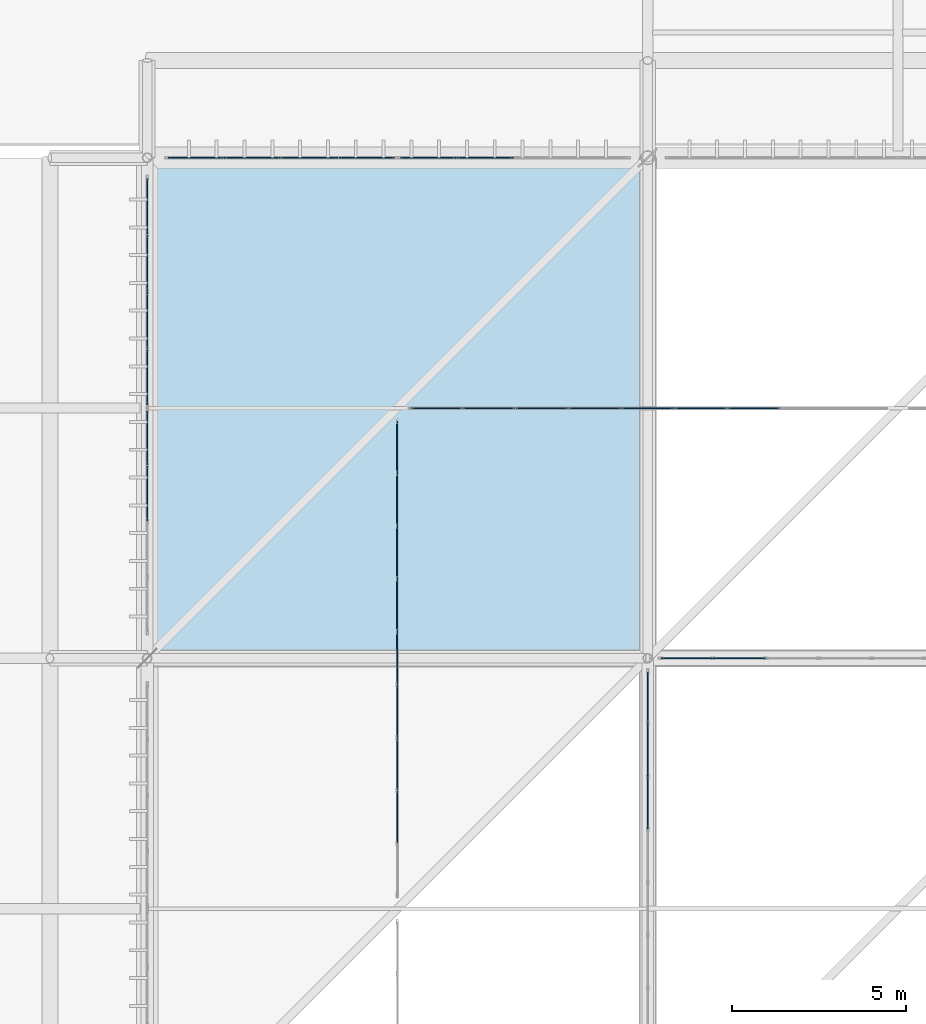
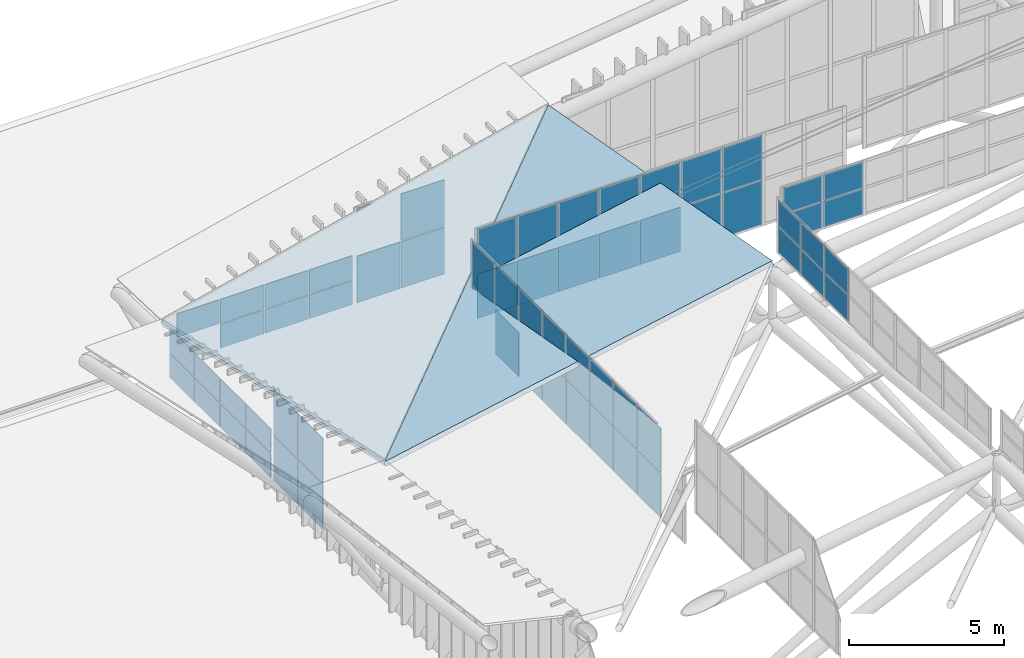
# One storey, part 375 of 397: 64 plates, 2 slabs, 8 elements without a shape of their own.
"""IFC4 building model written with IfcOpenShell, lengths in metres."""

from ifc_helpers import new_model, si_unit, direction, frame, origin, origin_2d, place, context, subcontext, project, spatial, polyline, rectangle, outline, extrude, material, layer, layer_set, type_object, element, aggregate, save


model = new_model("IFC4")

# Units and contexts
model_context = context("Model", 3, precision=1e-05, world=origin(), true_north=direction((0.0, 1.0)))
body_context = subcontext(model_context, "Body", "Model", "MODEL_VIEW")
ifc_project = project(units=[si_unit("LENGTHUNIT", "METRE"), si_unit("AREAUNIT", "SQUARE_METRE"), si_unit("VOLUMEUNIT", "CUBIC_METRE"), si_unit("PLANEANGLEUNIT", "RADIAN"), si_unit("MASSUNIT", "GRAM", prefix="KILO")], contexts=[model_context])

# Site, building, storey
site_placement = place(None, origin())
site = spatial("IfcSite", under=ifc_project, at=site_placement, CompositionType="ELEMENT")
building_placement = place(site_placement, origin())
building = spatial("IfcBuilding", under=site, at=building_placement, Name="Qandorah Velis Arena", CompositionType="ELEMENT")
storey_placement = place(building_placement, frame((0.0, 0.0, 27.5)))
storey = spatial("IfcBuildingStorey", under=building, at=storey_placement, Name="RF", CompositionType="ELEMENT", Elevation=27.5)

# Curtain wall, plates
ifc_material_1 = material(Name="Solar-control low-E double glazing", Category="glass")
curtain_wall_type_1 = type_object("IfcCurtainWallType", Name="ARC-CW-SYS12", PredefinedType="USERDEFINED", material=ifc_material_1)
curtain_wall_1_placement = place(storey_placement, origin())
curtain_wall_1 = element("IfcCurtainWall", 1, at=curtain_wall_1_placement, inside=storey, type_object=curtain_wall_type_1, Name="Unitised curtain wall MON-1-6", ObjectType="UNITISED CURTAIN WALL", PredefinedType="USERDEFINED")
ifc_layer_1 = layer(ifc_material_1, 0.030029296875)
ifc_layer_set_1 = layer_set([ifc_layer_1], Name="Solar-control low-E double glazing")
plate_type_1 = type_object("IfcPlateType", Name="ARC-CWP-GLZ30", PredefinedType="CURTAIN_PANEL", material=ifc_layer_set_1)
plate_1_placement = place(storey_placement, frame((21.60009765625, 96.2333984375, 3.58642578125), z_axis=(0.0, 0.0, 1.0), x_axis=(0.0, 1.0, 0.0)))
plate_1 = element("IfcPlate", 2, at=plate_1_placement, type_object=plate_type_1, Name="CW12 panel 2.1", PredefinedType="CURTAIN_PANEL", context=body_context, shape_type="SweptSolid", body=[
    extrude(rectangle(XDim=1.4873046875, YDim=0.030029296875, at=origin_2d()), origin(), (0.0, 0.0, 1.0), 1.737548828125),
])
plate_2_placement = place(storey_placement, frame((21.60009765625, 96.2333984375, 5.35888671875), z_axis=(0.0, 0.0, 1.0), x_axis=(0.0, 1.0, 0.0)))
plate_2 = element("IfcPlate", 3, at=plate_2_placement, type_object=plate_type_1, Name="CW12 panel 2.2", PredefinedType="CURTAIN_PANEL", context=body_context, shape_type="SweptSolid", body=[
    extrude(rectangle(XDim=1.4873046875, YDim=0.030029296875, at=origin_2d()), origin(), (0.0, 0.0, 1.0), 1.737548828125),
])
plate_3_placement = place(storey_placement, frame((21.60009765625, 97.755615234375, 3.58642578125), z_axis=(0.0, 0.0, 1.0), x_axis=(0.0, 1.0, 0.0)))
plate_3 = element("IfcPlate", 4, at=plate_3_placement, type_object=plate_type_1, Name="CW12 panel 3.1", PredefinedType="CURTAIN_PANEL", context=body_context, shape_type="SweptSolid", body=[
    extrude(rectangle(XDim=1.4873046875, YDim=0.030029296875, at=origin_2d()), origin(), (0.0, 0.0, 1.0), 1.737548828125),
])
plate_4_placement = place(storey_placement, frame((21.60009765625, 97.755615234375, 5.35888671875), z_axis=(0.0, 0.0, 1.0), x_axis=(0.0, 1.0, 0.0)))
plate_4 = element("IfcPlate", 5, at=plate_4_placement, type_object=plate_type_1, Name="CW12 panel 3.2", PredefinedType="CURTAIN_PANEL", context=body_context, shape_type="SweptSolid", body=[
    extrude(rectangle(XDim=1.4873046875, YDim=0.030029296875, at=origin_2d()), origin(), (0.0, 0.0, 1.0), 1.737548828125),
])
plate_5_placement = place(storey_placement, frame((21.60009765625, 99.27783203125, 3.58642578125), z_axis=(0.0, 0.0, 1.0), x_axis=(0.0, 1.0, 0.0)))
plate_5 = element("IfcPlate", 6, at=plate_5_placement, type_object=plate_type_1, Name="CW12 panel 4.1", PredefinedType="CURTAIN_PANEL", context=body_context, shape_type="SweptSolid", body=[
    extrude(rectangle(XDim=1.4873046875, YDim=0.030029296875, at=origin_2d()), origin(), (0.0, 0.0, 1.0), 1.737548828125),
])
plate_6_placement = place(storey_placement, frame((21.60009765625, 99.27783203125, 5.35888671875), z_axis=(0.0, 0.0, 1.0), x_axis=(0.0, 1.0, 0.0)))
plate_6 = element("IfcPlate", 7, at=plate_6_placement, type_object=plate_type_1, Name="CW12 panel 4.2", PredefinedType="CURTAIN_PANEL", context=body_context, shape_type="SweptSolid", body=[
    extrude(rectangle(XDim=1.4873046875, YDim=0.030029296875, at=origin_2d()), origin(), (0.0, 0.0, 1.0), 1.737548828125),
])
plate_7_placement = place(storey_placement, frame((21.60009765625, 100.800048828125, 3.58642578125), z_axis=(0.0, 0.0, 1.0), x_axis=(0.0, 1.0, 0.0)))
plate_7 = element("IfcPlate", 8, at=plate_7_placement, type_object=plate_type_1, Name="CW12 panel 5.1", PredefinedType="CURTAIN_PANEL", context=body_context, shape_type="SweptSolid", body=[
    extrude(rectangle(XDim=1.4873046875, YDim=0.030029296875, at=origin_2d()), origin(), (0.0, 0.0, 1.0), 1.737548828125),
])
plate_8_placement = place(storey_placement, frame((21.60009765625, 100.800048828125, 5.35888671875), z_axis=(0.0, 0.0, 1.0), x_axis=(0.0, 1.0, 0.0)))
plate_8 = element("IfcPlate", 9, at=plate_8_placement, type_object=plate_type_1, Name="CW12 panel 5.2", PredefinedType="CURTAIN_PANEL", context=body_context, shape_type="SweptSolid", body=[
    extrude(rectangle(XDim=1.4873046875, YDim=0.030029296875, at=origin_2d()), origin(), (0.0, 0.0, 1.0), 1.737548828125),
])
plate_9_placement = place(storey_placement, frame((21.60009765625, 102.322265625, 3.58642578125), z_axis=(0.0, 0.0, 1.0), x_axis=(0.0, 1.0, 0.0)))
plate_9 = element("IfcPlate", 10, at=plate_9_placement, type_object=plate_type_1, Name="CW12 panel 6.1", PredefinedType="CURTAIN_PANEL", context=body_context, shape_type="SweptSolid", body=[
    extrude(rectangle(XDim=1.4873046875, YDim=0.030029296875, at=origin_2d()), origin(), (0.0, 0.0, 1.0), 1.737548828125),
])
plate_10_placement = place(storey_placement, frame((21.60009765625, 102.322265625, 5.35888671875), z_axis=(0.0, 0.0, 1.0), x_axis=(0.0, 1.0, 0.0)))
plate_10 = element("IfcPlate", 11, at=plate_10_placement, type_object=plate_type_1, Name="CW12 panel 6.2", PredefinedType="CURTAIN_PANEL", context=body_context, shape_type="SweptSolid", body=[
    extrude(rectangle(XDim=1.4873046875, YDim=0.030029296875, at=origin_2d()), origin(), (0.0, 0.0, 1.0), 1.737548828125),
])
plate_11_placement = place(storey_placement, frame((21.60009765625, 103.844482421875, 3.58642578125), z_axis=(0.0, 0.0, 1.0), x_axis=(0.0, 1.0, 0.0)))
plate_11 = element("IfcPlate", 12, at=plate_11_placement, type_object=plate_type_1, Name="CW12 panel 7.1", PredefinedType="CURTAIN_PANEL", context=body_context, shape_type="SweptSolid", body=[
    extrude(rectangle(XDim=1.4873046875, YDim=0.030029296875, at=origin_2d()), origin(), (0.0, 0.0, 1.0), 1.737548828125),
])
plate_12_placement = place(storey_placement, frame((21.60009765625, 103.844482421875, 5.35888671875), z_axis=(0.0, 0.0, 1.0), x_axis=(0.0, 1.0, 0.0)))
plate_12 = element("IfcPlate", 13, at=plate_12_placement, type_object=plate_type_1, Name="CW12 panel 7.2", PredefinedType="CURTAIN_PANEL", context=body_context, shape_type="SweptSolid", body=[
    extrude(rectangle(XDim=1.4873046875, YDim=0.030029296875, at=origin_2d()), origin(), (0.0, 0.0, 1.0), 1.737548828125),
])
plate_13_placement = place(storey_placement, frame((21.60009765625, 105.36669921875, 3.58642578125), z_axis=(0.0, 0.0, 1.0), x_axis=(0.0, 1.0, 0.0)))
plate_13 = element("IfcPlate", 14, at=plate_13_placement, type_object=plate_type_1, Name="CW12 panel 8.1", PredefinedType="CURTAIN_PANEL", context=body_context, shape_type="SweptSolid", body=[
    extrude(rectangle(XDim=1.4873046875, YDim=0.030029296875, at=origin_2d()), origin(), (0.0, 0.0, 1.0), 1.737548828125),
])
plate_14_placement = place(storey_placement, frame((21.60009765625, 105.36669921875, 5.35888671875), z_axis=(0.0, 0.0, 1.0), x_axis=(0.0, 1.0, 0.0)))
plate_14 = element("IfcPlate", 15, at=plate_14_placement, type_object=plate_type_1, Name="CW12 panel 8.2", PredefinedType="CURTAIN_PANEL", context=body_context, shape_type="SweptSolid", body=[
    extrude(rectangle(XDim=1.4873046875, YDim=0.030029296875, at=origin_2d()), origin(), (0.0, 0.0, 1.0), 1.737548828125),
])
plate_15_placement = place(storey_placement, frame((21.60009765625, 106.875244140625, 3.58642578125), z_axis=(0.0, 0.0, 1.0), x_axis=(0.0, 1.0, 0.0)))
plate_15 = element("IfcPlate", 16, at=plate_15_placement, type_object=plate_type_1, Name="CW12 panel 9.1", PredefinedType="CURTAIN_PANEL", context=body_context, shape_type="SweptSolid", body=[
    extrude(rectangle(XDim=1.459716796875, YDim=0.030029296875, at=origin_2d()), origin(), (0.0, 0.0, 1.0), 1.737548828125),
])
plate_16_placement = place(storey_placement, frame((21.60009765625, 106.875244140625, 5.35888671875), z_axis=(0.0, 0.0, 1.0), x_axis=(0.0, 1.0, 0.0)))
plate_16 = element("IfcPlate", 17, at=plate_16_placement, type_object=plate_type_1, Name="CW12 panel 9.2", PredefinedType="CURTAIN_PANEL", context=body_context, shape_type="SweptSolid", body=[
    extrude(rectangle(XDim=1.459716796875, YDim=0.030029296875, at=origin_2d()), origin(), (0.0, 0.0, 1.0), 1.737548828125),
])
aggregate(curtain_wall_1, [plate_1, plate_2, plate_3, plate_4, plate_5, plate_6, plate_7, plate_8, plate_9, plate_10, plate_11, plate_12, plate_13, plate_14, plate_15, plate_16])

curtain_wall_type_2 = type_object("IfcCurtainWallType", Name="ARC-CW-SYS01", PredefinedType="USERDEFINED", material=ifc_material_1)
curtain_wall_2_placement = place(storey_placement, origin())
curtain_wall_2 = element("IfcCurtainWall", 18, at=curtain_wall_2_placement, inside=storey, type_object=curtain_wall_type_2, Name="Unitised curtain wall MON-4-1", ObjectType="UNITISED CURTAIN WALL", PredefinedType="USERDEFINED")
plate_17_placement = place(storey_placement, frame((22.724853515625, 108.0, 3.685546875), z_axis=(0.0, 0.0, 1.0), x_axis=(1.0, 0.0, 0.0)))
plate_17 = element("IfcPlate", 19, at=plate_17_placement, type_object=plate_type_1, Name="CW01 panel 1.1", PredefinedType="CURTAIN_PANEL", context=body_context, shape_type="SweptSolid", body=[
    extrude(rectangle(XDim=1.459716796875, YDim=0.030029296875, at=origin_2d()), origin(), (0.0, 0.0, 1.0), 1.737548828125),
])
plate_18_placement = place(storey_placement, frame((22.724853515625, 108.0, 5.45849609375), z_axis=(0.0, 0.0, 1.0), x_axis=(1.0, 0.0, 0.0)))
plate_18 = element("IfcPlate", 20, at=plate_18_placement, type_object=plate_type_1, Name="CW01 panel 1.2", PredefinedType="CURTAIN_PANEL", context=body_context, shape_type="SweptSolid", body=[
    extrude(rectangle(XDim=1.459716796875, YDim=0.030029296875, at=origin_2d()), origin(), (0.0, 0.0, 1.0), 1.737548828125),
])
plate_19_placement = place(storey_placement, frame((24.2333984375, 108.0, 3.685546875), z_axis=(0.0, 0.0, 1.0), x_axis=(1.0, 0.0, 0.0)))
plate_19 = element("IfcPlate", 21, at=plate_19_placement, type_object=plate_type_1, Name="CW01 panel 2.1", PredefinedType="CURTAIN_PANEL", context=body_context, shape_type="SweptSolid", body=[
    extrude(rectangle(XDim=1.4873046875, YDim=0.030029296875, at=origin_2d()), origin(), (0.0, 0.0, 1.0), 1.737548828125),
])
plate_20_placement = place(storey_placement, frame((24.2333984375, 108.0, 5.45849609375), z_axis=(0.0, 0.0, 1.0), x_axis=(1.0, 0.0, 0.0)))
plate_20 = element("IfcPlate", 22, at=plate_20_placement, type_object=plate_type_1, Name="CW01 panel 2.2", PredefinedType="CURTAIN_PANEL", context=body_context, shape_type="SweptSolid", body=[
    extrude(rectangle(XDim=1.4873046875, YDim=0.030029296875, at=origin_2d()), origin(), (0.0, 0.0, 1.0), 1.737548828125),
])
plate_21_placement = place(storey_placement, frame((25.755615234375, 108.0, 3.685546875), z_axis=(0.0, 0.0, 1.0), x_axis=(1.0, 0.0, 0.0)))
plate_21 = element("IfcPlate", 23, at=plate_21_placement, type_object=plate_type_1, Name="CW01 panel 3.1", PredefinedType="CURTAIN_PANEL", context=body_context, shape_type="SweptSolid", body=[
    extrude(rectangle(XDim=1.4873046875, YDim=0.030029296875, at=origin_2d()), origin(), (0.0, 0.0, 1.0), 1.737548828125),
])
plate_22_placement = place(storey_placement, frame((25.755615234375, 108.0, 5.45849609375), z_axis=(0.0, 0.0, 1.0), x_axis=(1.0, 0.0, 0.0)))
plate_22 = element("IfcPlate", 24, at=plate_22_placement, type_object=plate_type_1, Name="CW01 panel 3.2", PredefinedType="CURTAIN_PANEL", context=body_context, shape_type="SweptSolid", body=[
    extrude(rectangle(XDim=1.4873046875, YDim=0.030029296875, at=origin_2d()), origin(), (0.0, 0.0, 1.0), 1.737548828125),
])
plate_23_placement = place(storey_placement, frame((27.27783203125, 108.0, 3.685546875), z_axis=(0.0, 0.0, 1.0), x_axis=(1.0, 0.0, 0.0)))
plate_23 = element("IfcPlate", 25, at=plate_23_placement, type_object=plate_type_1, Name="CW01 panel 4.1", PredefinedType="CURTAIN_PANEL", context=body_context, shape_type="SweptSolid", body=[
    extrude(rectangle(XDim=1.4873046875, YDim=0.030029296875, at=origin_2d()), origin(), (0.0, 0.0, 1.0), 1.737548828125),
])
plate_24_placement = place(storey_placement, frame((27.27783203125, 108.0, 5.45849609375), z_axis=(0.0, 0.0, 1.0), x_axis=(1.0, 0.0, 0.0)))
plate_24 = element("IfcPlate", 26, at=plate_24_placement, type_object=plate_type_1, Name="CW01 panel 4.2", PredefinedType="CURTAIN_PANEL", context=body_context, shape_type="SweptSolid", body=[
    extrude(rectangle(XDim=1.4873046875, YDim=0.030029296875, at=origin_2d()), origin(), (0.0, 0.0, 1.0), 1.737548828125),
])
plate_25_placement = place(storey_placement, frame((28.800048828125, 108.0, 3.685546875), z_axis=(0.0, 0.0, 1.0), x_axis=(1.0, 0.0, 0.0)))
plate_25 = element("IfcPlate", 27, at=plate_25_placement, type_object=plate_type_1, Name="CW01 panel 5.1", PredefinedType="CURTAIN_PANEL", context=body_context, shape_type="SweptSolid", body=[
    extrude(rectangle(XDim=1.4873046875, YDim=0.030029296875, at=origin_2d()), origin(), (0.0, 0.0, 1.0), 1.737548828125),
])
plate_26_placement = place(storey_placement, frame((28.800048828125, 108.0, 5.45849609375), z_axis=(0.0, 0.0, 1.0), x_axis=(1.0, 0.0, 0.0)))
plate_26 = element("IfcPlate", 28, at=plate_26_placement, type_object=plate_type_1, Name="CW01 panel 5.2", PredefinedType="CURTAIN_PANEL", context=body_context, shape_type="SweptSolid", body=[
    extrude(rectangle(XDim=1.4873046875, YDim=0.030029296875, at=origin_2d()), origin(), (0.0, 0.0, 1.0), 1.737548828125),
])
plate_27_placement = place(storey_placement, frame((30.322265625, 108.0, 3.685546875), z_axis=(0.0, 0.0, 1.0), x_axis=(1.0, 0.0, 0.0)))
plate_27 = element("IfcPlate", 29, at=plate_27_placement, type_object=plate_type_1, Name="CW01 panel 6.1", PredefinedType="CURTAIN_PANEL", context=body_context, shape_type="SweptSolid", body=[
    extrude(rectangle(XDim=1.4873046875, YDim=0.030029296875, at=origin_2d()), origin(), (0.0, 0.0, 1.0), 1.737548828125),
])
plate_28_placement = place(storey_placement, frame((30.322265625, 108.0, 5.45849609375), z_axis=(0.0, 0.0, 1.0), x_axis=(1.0, 0.0, 0.0)))
plate_28 = element("IfcPlate", 30, at=plate_28_placement, type_object=plate_type_1, Name="CW01 panel 6.2", PredefinedType="CURTAIN_PANEL", context=body_context, shape_type="SweptSolid", body=[
    extrude(rectangle(XDim=1.4873046875, YDim=0.030029296875, at=origin_2d()), origin(), (0.0, 0.0, 1.0), 1.737548828125),
])
plate_29_placement = place(storey_placement, frame((31.844482421875, 108.0, 3.685546875), z_axis=(0.0, 0.0, 1.0), x_axis=(1.0, 0.0, 0.0)))
plate_29 = element("IfcPlate", 31, at=plate_29_placement, type_object=plate_type_1, Name="CW01 panel 7.1", PredefinedType="CURTAIN_PANEL", context=body_context, shape_type="SweptSolid", body=[
    extrude(rectangle(XDim=1.4873046875, YDim=0.030029296875, at=origin_2d()), origin(), (0.0, 0.0, 1.0), 1.737548828125),
])
plate_30_placement = place(storey_placement, frame((31.844482421875, 108.0, 5.45849609375), z_axis=(0.0, 0.0, 1.0), x_axis=(1.0, 0.0, 0.0)))
plate_30 = element("IfcPlate", 32, at=plate_30_placement, type_object=plate_type_1, Name="CW01 panel 7.2", PredefinedType="CURTAIN_PANEL", context=body_context, shape_type="SweptSolid", body=[
    extrude(rectangle(XDim=1.4873046875, YDim=0.030029296875, at=origin_2d()), origin(), (0.0, 0.0, 1.0), 1.737548828125),
])
aggregate(curtain_wall_2, [plate_17, plate_18, plate_19, plate_20, plate_21, plate_22, plate_23, plate_24, plate_25, plate_26, plate_27, plate_28, plate_29, plate_30])

curtain_wall_type_3 = type_object("IfcCurtainWallType", Name="ARC-CW-SYS10", PredefinedType="USERDEFINED", material=ifc_material_1)
curtain_wall_3_placement = place(storey_placement, origin())
curtain_wall_3 = element("IfcCurtainWall", 33, at=curtain_wall_3_placement, inside=storey, type_object=curtain_wall_type_3, Name="Unitised curtain wall OCULUS-1-5", ObjectType="UNITISED CURTAIN WALL", PredefinedType="USERDEFINED")
plate_31_placement = place(storey_placement, frame((28.800048828125, 96.64453125, 8.53125), z_axis=(0.0, 0.0, 1.0), x_axis=(0.0, 1.0, 0.0)))
plate_31 = element("IfcPlate", 34, at=plate_31_placement, type_object=plate_type_1, Name="CW10 panel 7.1", PredefinedType="CURTAIN_PANEL", context=body_context, shape_type="SweptSolid", body=[
    extrude(rectangle(XDim=1.4873046875, YDim=0.030029296875, at=origin_2d()), origin(), (0.0, 0.0, 1.0), 1.012451171875),
])
plate_32_placement = place(storey_placement, frame((28.800048828125, 96.64453125, 9.57861328125), z_axis=(0.0, 0.0, 1.0), x_axis=(0.0, 1.0, 0.0)))
plate_32 = element("IfcPlate", 35, at=plate_32_placement, type_object=plate_type_1, Name="CW10 panel 7.2", PredefinedType="CURTAIN_PANEL", context=body_context, shape_type="SweptSolid", body=[
    extrude(rectangle(XDim=1.4873046875, YDim=0.030029296875, at=origin_2d()), origin(), (0.0, 0.0, 1.0), 1.012451171875),
])
plate_33_placement = place(storey_placement, frame((28.800048828125, 98.166748046875, 8.53125), z_axis=(0.0, 0.0, 1.0), x_axis=(0.0, 1.0, 0.0)))
plate_33 = element("IfcPlate", 36, at=plate_33_placement, type_object=plate_type_1, Name="CW10 panel 8.1", PredefinedType="CURTAIN_PANEL", context=body_context, shape_type="SweptSolid", body=[
    extrude(rectangle(XDim=1.4873046875, YDim=0.030029296875, at=origin_2d()), origin(), (0.0, 0.0, 1.0), 1.012451171875),
])
plate_34_placement = place(storey_placement, frame((28.800048828125, 98.166748046875, 9.57861328125), z_axis=(0.0, 0.0, 1.0), x_axis=(0.0, 1.0, 0.0)))
plate_34 = element("IfcPlate", 37, at=plate_34_placement, type_object=plate_type_1, Name="CW10 panel 8.2", PredefinedType="CURTAIN_PANEL", context=body_context, shape_type="SweptSolid", body=[
    extrude(rectangle(XDim=1.4873046875, YDim=0.030029296875, at=origin_2d()), origin(), (0.0, 0.0, 1.0), 1.012451171875),
])
plate_35_placement = place(storey_placement, frame((28.800048828125, 99.675048828125, 8.53125), z_axis=(0.0, 0.0, 1.0), x_axis=(0.0, 1.0, 0.0)))
plate_35 = element("IfcPlate", 38, at=plate_35_placement, type_object=plate_type_1, Name="CW10 panel 9.1", PredefinedType="CURTAIN_PANEL", context=body_context, shape_type="SweptSolid", body=[
    extrude(rectangle(XDim=1.459716796875, YDim=0.030029296875, at=origin_2d()), origin(), (0.0, 0.0, 1.0), 1.012451171875),
])
plate_36_placement = place(storey_placement, frame((28.800048828125, 99.675048828125, 9.57861328125), z_axis=(0.0, 0.0, 1.0), x_axis=(0.0, 1.0, 0.0)))
plate_36 = element("IfcPlate", 39, at=plate_36_placement, type_object=plate_type_1, Name="CW10 panel 9.2", PredefinedType="CURTAIN_PANEL", context=body_context, shape_type="SweptSolid", body=[
    extrude(rectangle(XDim=1.459716796875, YDim=0.030029296875, at=origin_2d()), origin(), (0.0, 0.0, 1.0), 1.012451171875),
])
aggregate(curtain_wall_3, [plate_31, plate_32, plate_33, plate_34, plate_35, plate_36])

curtain_wall_type_4 = type_object("IfcCurtainWallType", Name="ARC-CW-SYS21", PredefinedType="USERDEFINED", material=ifc_material_1)
curtain_wall_4_placement = place(storey_placement, origin())
curtain_wall_4 = element("IfcCurtainWall", 40, at=curtain_wall_4_placement, inside=storey, type_object=curtain_wall_type_4, Name="Unitised curtain wall OCULUS-4-1", ObjectType="UNITISED CURTAIN WALL", PredefinedType="USERDEFINED")
plate_37_placement = place(storey_placement, frame((29.9248046875, 100.800048828125, 8.59521484375), z_axis=(0.0, 0.0, 1.0), x_axis=(1.0, 0.0, 0.0)))
plate_37 = element("IfcPlate", 41, at=plate_37_placement, type_object=plate_type_1, Name="CW21 panel 1.1", PredefinedType="CURTAIN_PANEL", context=body_context, shape_type="SweptSolid", body=[
    extrude(rectangle(XDim=1.459716796875, YDim=0.030029296875, at=origin_2d()), origin(), (0.0, 0.0, 1.0), 1.012451171875),
])
plate_38_placement = place(storey_placement, frame((29.9248046875, 100.800048828125, 9.642578125), z_axis=(0.0, 0.0, 1.0), x_axis=(1.0, 0.0, 0.0)))
plate_38 = element("IfcPlate", 42, at=plate_38_placement, type_object=plate_type_1, Name="CW21 panel 1.2", PredefinedType="CURTAIN_PANEL", context=body_context, shape_type="SweptSolid", body=[
    extrude(rectangle(XDim=1.459716796875, YDim=0.030029296875, at=origin_2d()), origin(), (0.0, 0.0, 1.0), 1.012451171875),
])
plate_39_placement = place(storey_placement, frame((31.433349609375, 100.800048828125, 8.59521484375), z_axis=(0.0, 0.0, 1.0), x_axis=(1.0, 0.0, 0.0)))
plate_39 = element("IfcPlate", 43, at=plate_39_placement, type_object=plate_type_1, Name="CW21 panel 2.1", PredefinedType="CURTAIN_PANEL", context=body_context, shape_type="SweptSolid", body=[
    extrude(rectangle(XDim=1.4873046875, YDim=0.030029296875, at=origin_2d()), origin(), (0.0, 0.0, 1.0), 1.012451171875),
])
plate_40_placement = place(storey_placement, frame((31.433349609375, 100.800048828125, 9.642578125), z_axis=(0.0, 0.0, 1.0), x_axis=(1.0, 0.0, 0.0)))
plate_40 = element("IfcPlate", 44, at=plate_40_placement, type_object=plate_type_1, Name="CW21 panel 2.2", PredefinedType="CURTAIN_PANEL", context=body_context, shape_type="SweptSolid", body=[
    extrude(rectangle(XDim=1.4873046875, YDim=0.030029296875, at=origin_2d()), origin(), (0.0, 0.0, 1.0), 1.012451171875),
])
aggregate(curtain_wall_4, [plate_37, plate_38, plate_39, plate_40])

curtain_wall_type_5 = type_object("IfcCurtainWallType", Name="ARC-CW-SYS07", PredefinedType="USERDEFINED", material=ifc_material_1)
curtain_wall_5_placement = place(storey_placement, origin())
curtain_wall_5 = element("IfcCurtainWall", 45, at=curtain_wall_5_placement, inside=storey, type_object=curtain_wall_type_5, Name="Unitised curtain wall CROWN-1-07S1", ObjectType="UNITISED CURTAIN WALL", PredefinedType="USERDEFINED")
ifc_layer_2 = layer(ifc_material_1, 0.035888671875)
ifc_layer_set_2 = layer_set([ifc_layer_2], Name="Solar-control low-E double glazing")
plate_type_2 = type_object("IfcPlateType", Name="ARC-CWP-GLZ36", PredefinedType="CURTAIN_PANEL", material=ifc_layer_set_2)
plate_41_placement = place(storey_placement, frame((14.39990234375, 105.546875, 0.050048828125), z_axis=(0.0, 0.0, 1.0), x_axis=(0.0, 1.0, 0.0)))
plate_41 = element("IfcPlate", 46, at=plate_41_placement, type_object=plate_type_2, Name="CW07 panel 3.1", PredefinedType="CURTAIN_PANEL", context=body_context, shape_type="SweptSolid", body=[
    extrude(rectangle(XDim=1.568603515625, YDim=0.035888671875, at=origin_2d()), origin(), (0.0, 0.0, 1.0), 1.76025390625),
])
plate_42_placement = place(storey_placement, frame((14.39990234375, 105.546875, 1.850341796875), z_axis=(0.0, 0.0, 1.0), x_axis=(0.0, 1.0, 0.0)))
plate_42 = element("IfcPlate", 47, at=plate_42_placement, type_object=plate_type_2, Name="CW07 panel 3.2", PredefinedType="CURTAIN_PANEL", context=body_context, shape_type="SweptSolid", body=[
    extrude(rectangle(XDim=1.568603515625, YDim=0.035888671875, at=origin_2d()), origin(), (0.0, 0.0, 1.0), 1.76025390625),
])
plate_43_placement = place(storey_placement, frame((14.39990234375, 107.140625, 0.050048828125), z_axis=(0.0, 0.0, 1.0), x_axis=(0.0, 1.0, 0.0)))
plate_43 = element("IfcPlate", 48, at=plate_43_placement, type_object=plate_type_2, Name="CW07 panel 4.1", PredefinedType="CURTAIN_PANEL", context=body_context, shape_type="SweptSolid", body=[
    extrude(rectangle(XDim=1.538818359375, YDim=0.035888671875, at=origin_2d()), origin(), (0.0, 0.0, 1.0), 1.76025390625),
])
plate_44_placement = place(storey_placement, frame((14.39990234375, 107.140625, 1.850341796875), z_axis=(0.0, 0.0, 1.0), x_axis=(0.0, 1.0, 0.0)))
plate_44 = element("IfcPlate", 49, at=plate_44_placement, type_object=plate_type_2, Name="CW07 panel 4.2", PredefinedType="CURTAIN_PANEL", context=body_context, shape_type="SweptSolid", body=[
    extrude(rectangle(XDim=1.538818359375, YDim=0.035888671875, at=origin_2d()), origin(), (0.0, 0.0, 1.0), 1.76025390625),
])
aggregate(curtain_wall_5, [plate_41, plate_42, plate_43, plate_44])

curtain_wall_type_6 = type_object("IfcCurtainWallType", Name="ARC-CW-SYS08", PredefinedType="USERDEFINED", material=ifc_material_1)
curtain_wall_6_placement = place(storey_placement, origin())
curtain_wall_6 = element("IfcCurtainWall", 50, at=curtain_wall_6_placement, inside=storey, type_object=curtain_wall_type_6, Name="Unitised curtain wall CROWN-1-07S2", ObjectType="UNITISED CURTAIN WALL", PredefinedType="USERDEFINED")
plate_45_placement = place(storey_placement, frame((14.39990234375, 108.88134765625, 0.0498046875), z_axis=(0.0, 0.0, 1.0), x_axis=(0.0, 1.0, 0.0)))
plate_45 = element("IfcPlate", 51, at=plate_45_placement, type_object=plate_type_2, Name="CW08 panel 1.1", PredefinedType="CURTAIN_PANEL", context=body_context, shape_type="SweptSolid", body=[
    extrude(rectangle(XDim=1.58251953125, YDim=0.035888671875, at=origin_2d()), origin(), (0.0, 0.0, 1.0), 0.931396484375),
])
plate_46_placement = place(storey_placement, frame((14.39990234375, 108.88134765625, 1.021484375), z_axis=(0.0, 0.0, 1.0), x_axis=(0.0, 1.0, 0.0)))
plate_46 = element("IfcPlate", 52, at=plate_46_placement, type_object=plate_type_2, Name="CW08 panel 1.2", PredefinedType="CURTAIN_PANEL", context=body_context, shape_type="SweptSolid", body=[
    extrude(rectangle(XDim=1.58251953125, YDim=0.035888671875, at=origin_2d()), origin(), (0.0, 0.0, 1.0), 0.931396484375),
])
plate_47_placement = place(storey_placement, frame((14.39990234375, 110.518798828125, 0.0498046875), z_axis=(0.0, 0.0, 1.0), x_axis=(0.0, 1.0, 0.0)))
plate_47 = element("IfcPlate", 53, at=plate_47_placement, type_object=plate_type_2, Name="CW08 panel 2.1", PredefinedType="CURTAIN_PANEL", context=body_context, shape_type="SweptSolid", body=[
    extrude(rectangle(XDim=1.612548828125, YDim=0.035888671875, at=origin_2d()), origin(), (0.0, 0.0, 1.0), 0.931396484375),
])
plate_48_placement = place(storey_placement, frame((14.39990234375, 110.518798828125, 1.021484375), z_axis=(0.0, 0.0, 1.0), x_axis=(0.0, 1.0, 0.0)))
plate_48 = element("IfcPlate", 54, at=plate_48_placement, type_object=plate_type_2, Name="CW08 panel 2.2", PredefinedType="CURTAIN_PANEL", context=body_context, shape_type="SweptSolid", body=[
    extrude(rectangle(XDim=1.612548828125, YDim=0.035888671875, at=origin_2d()), origin(), (0.0, 0.0, 1.0), 0.931396484375),
])
plate_49_placement = place(storey_placement, frame((14.39990234375, 112.171142578125, 0.0498046875), z_axis=(0.0, 0.0, 1.0), x_axis=(0.0, 1.0, 0.0)))
plate_49 = element("IfcPlate", 55, at=plate_49_placement, type_object=plate_type_2, Name="CW08 panel 3.1", PredefinedType="CURTAIN_PANEL", context=body_context, shape_type="SweptSolid", body=[
    extrude(rectangle(XDim=1.612548828125, YDim=0.035888671875, at=origin_2d()), origin(), (0.0, 0.0, 1.0), 0.931396484375),
])
plate_50_placement = place(storey_placement, frame((14.39990234375, 112.171142578125, 1.021484375), z_axis=(0.0, 0.0, 1.0), x_axis=(0.0, 1.0, 0.0)))
plate_50 = element("IfcPlate", 56, at=plate_50_placement, type_object=plate_type_2, Name="CW08 panel 3.2", PredefinedType="CURTAIN_PANEL", context=body_context, shape_type="SweptSolid", body=[
    extrude(rectangle(XDim=1.612548828125, YDim=0.035888671875, at=origin_2d()), origin(), (0.0, 0.0, 1.0), 0.931396484375),
])
plate_51_placement = place(storey_placement, frame((14.39990234375, 113.808837890625, 0.0498046875), z_axis=(0.0, 0.0, 1.0), x_axis=(0.0, 1.0, 0.0)))
plate_51 = element("IfcPlate", 57, at=plate_51_placement, type_object=plate_type_2, Name="CW08 panel 4.1", PredefinedType="CURTAIN_PANEL", context=body_context, shape_type="SweptSolid", body=[
    extrude(rectangle(XDim=1.58251953125, YDim=0.035888671875, at=origin_2d()), origin(), (0.0, 0.0, 1.0), 0.931396484375),
])
plate_52_placement = place(storey_placement, frame((14.39990234375, 113.808837890625, 1.021484375), z_axis=(0.0, 0.0, 1.0), x_axis=(0.0, 1.0, 0.0)))
plate_52 = element("IfcPlate", 58, at=plate_52_placement, type_object=plate_type_2, Name="CW08 panel 4.2", PredefinedType="CURTAIN_PANEL", context=body_context, shape_type="SweptSolid", body=[
    extrude(rectangle(XDim=1.58251953125, YDim=0.035888671875, at=origin_2d()), origin(), (0.0, 0.0, 1.0), 0.931396484375),
])
aggregate(curtain_wall_6, [plate_45, plate_46, plate_47, plate_48, plate_49, plate_50, plate_51, plate_52])

curtain_wall_7_placement = place(storey_placement, origin())
curtain_wall_7 = element("IfcCurtainWall", 59, at=curtain_wall_7_placement, inside=storey, type_object=curtain_wall_type_2, Name="Unitised curtain wall CROWN-4-01S1", ObjectType="UNITISED CURTAIN WALL", PredefinedType="USERDEFINED")
plate_53_placement = place(storey_placement, frame((15.791259765625, 115.199951171875, 0.0498046875), z_axis=(0.0, 0.0, 1.0), x_axis=(1.0, 0.0, 0.0)))
plate_53 = element("IfcPlate", 60, at=plate_53_placement, type_object=plate_type_2, Name="CW01 panel 1.1", PredefinedType="CURTAIN_PANEL", context=body_context, shape_type="SweptSolid", body=[
    extrude(rectangle(XDim=1.58251953125, YDim=0.035888671875, at=origin_2d()), origin(), (0.0, 0.0, 1.0), 0.937744140625),
])
plate_54_placement = place(storey_placement, frame((15.791259765625, 115.199951171875, 1.02783203125), z_axis=(0.0, 0.0, 1.0), x_axis=(1.0, 0.0, 0.0)))
plate_54 = element("IfcPlate", 61, at=plate_54_placement, type_object=plate_type_2, Name="CW01 panel 1.2", PredefinedType="CURTAIN_PANEL", context=body_context, shape_type="SweptSolid", body=[
    extrude(rectangle(XDim=1.58251953125, YDim=0.035888671875, at=origin_2d()), origin(), (0.0, 0.0, 1.0), 0.937744140625),
])
plate_55_placement = place(storey_placement, frame((17.4287109375, 115.199951171875, 0.0498046875), z_axis=(0.0, 0.0, 1.0), x_axis=(1.0, 0.0, 0.0)))
plate_55 = element("IfcPlate", 62, at=plate_55_placement, type_object=plate_type_2, Name="CW01 panel 2.1", PredefinedType="CURTAIN_PANEL", context=body_context, shape_type="SweptSolid", body=[
    extrude(rectangle(XDim=1.612548828125, YDim=0.035888671875, at=origin_2d()), origin(), (0.0, 0.0, 1.0), 0.937744140625),
])
plate_56_placement = place(storey_placement, frame((17.4287109375, 115.199951171875, 1.02783203125), z_axis=(0.0, 0.0, 1.0), x_axis=(1.0, 0.0, 0.0)))
plate_56 = element("IfcPlate", 63, at=plate_56_placement, type_object=plate_type_2, Name="CW01 panel 2.2", PredefinedType="CURTAIN_PANEL", context=body_context, shape_type="SweptSolid", body=[
    extrude(rectangle(XDim=1.612548828125, YDim=0.035888671875, at=origin_2d()), origin(), (0.0, 0.0, 1.0), 0.937744140625),
])
plate_57_placement = place(storey_placement, frame((19.081298828125, 115.199951171875, 0.0498046875), z_axis=(0.0, 0.0, 1.0), x_axis=(1.0, 0.0, 0.0)))
plate_57 = element("IfcPlate", 64, at=plate_57_placement, type_object=plate_type_2, Name="CW01 panel 3.1", PredefinedType="CURTAIN_PANEL", context=body_context, shape_type="SweptSolid", body=[
    extrude(rectangle(XDim=1.612548828125, YDim=0.035888671875, at=origin_2d()), origin(), (0.0, 0.0, 1.0), 0.937744140625),
])
plate_58_placement = place(storey_placement, frame((19.081298828125, 115.199951171875, 1.02783203125), z_axis=(0.0, 0.0, 1.0), x_axis=(1.0, 0.0, 0.0)))
plate_58 = element("IfcPlate", 65, at=plate_58_placement, type_object=plate_type_2, Name="CW01 panel 3.2", PredefinedType="CURTAIN_PANEL", context=body_context, shape_type="SweptSolid", body=[
    extrude(rectangle(XDim=1.612548828125, YDim=0.035888671875, at=origin_2d()), origin(), (0.0, 0.0, 1.0), 0.937744140625),
])
plate_59_placement = place(storey_placement, frame((20.71875, 115.199951171875, 0.0498046875), z_axis=(0.0, 0.0, 1.0), x_axis=(1.0, 0.0, 0.0)))
plate_59 = element("IfcPlate", 66, at=plate_59_placement, type_object=plate_type_2, Name="CW01 panel 4.1", PredefinedType="CURTAIN_PANEL", context=body_context, shape_type="SweptSolid", body=[
    extrude(rectangle(XDim=1.58251953125, YDim=0.035888671875, at=origin_2d()), origin(), (0.0, 0.0, 1.0), 0.937744140625),
])
plate_60_placement = place(storey_placement, frame((20.71875, 115.199951171875, 1.02783203125), z_axis=(0.0, 0.0, 1.0), x_axis=(1.0, 0.0, 0.0)))
plate_60 = element("IfcPlate", 67, at=plate_60_placement, type_object=plate_type_2, Name="CW01 panel 4.2", PredefinedType="CURTAIN_PANEL", context=body_context, shape_type="SweptSolid", body=[
    extrude(rectangle(XDim=1.58251953125, YDim=0.035888671875, at=origin_2d()), origin(), (0.0, 0.0, 1.0), 0.937744140625),
])
aggregate(curtain_wall_7, [plate_53, plate_54, plate_55, plate_56, plate_57, plate_58, plate_59, plate_60])

curtain_wall_type_7 = type_object("IfcCurtainWallType", Name="ARC-CW-SYS02", PredefinedType="USERDEFINED", material=ifc_material_1)
curtain_wall_8_placement = place(storey_placement, origin())
curtain_wall_8 = element("IfcCurtainWall", 68, at=curtain_wall_8_placement, inside=storey, type_object=curtain_wall_type_7, Name="Unitised curtain wall CROWN-4-01S2", ObjectType="UNITISED CURTAIN WALL", PredefinedType="USERDEFINED")
plate_61_placement = place(storey_placement, frame((22.481201171875, 115.199951171875, 0.0498046875), z_axis=(0.0, 0.0, 1.0), x_axis=(1.0, 0.0, 0.0)))
plate_61 = element("IfcPlate", 69, at=plate_61_placement, type_object=plate_type_2, Name="CW02 panel 1.1", PredefinedType="CURTAIN_PANEL", context=body_context, shape_type="SweptSolid", body=[
    extrude(rectangle(XDim=1.58251953125, YDim=0.035888671875, at=origin_2d()), origin(), (0.0, 0.0, 1.0), 1.832275390625),
])
plate_62_placement = place(storey_placement, frame((22.481201171875, 115.199951171875, 1.92236328125), z_axis=(0.0, 0.0, 1.0), x_axis=(1.0, 0.0, 0.0)))
plate_62 = element("IfcPlate", 70, at=plate_62_placement, type_object=plate_type_2, Name="CW02 panel 1.2", PredefinedType="CURTAIN_PANEL", context=body_context, shape_type="SweptSolid", body=[
    extrude(rectangle(XDim=1.58251953125, YDim=0.035888671875, at=origin_2d()), origin(), (0.0, 0.0, 1.0), 1.832275390625),
])
plate_63_placement = place(storey_placement, frame((24.11865234375, 115.199951171875, 0.0498046875), z_axis=(0.0, 0.0, 1.0), x_axis=(1.0, 0.0, 0.0)))
plate_63 = element("IfcPlate", 71, at=plate_63_placement, type_object=plate_type_2, Name="CW02 panel 2.1", PredefinedType="CURTAIN_PANEL", context=body_context, shape_type="SweptSolid", body=[
    extrude(rectangle(XDim=1.612548828125, YDim=0.035888671875, at=origin_2d()), origin(), (0.0, 0.0, 1.0), 1.832275390625),
])
plate_64_placement = place(storey_placement, frame((24.11865234375, 115.199951171875, 1.92236328125), z_axis=(0.0, 0.0, 1.0), x_axis=(1.0, 0.0, 0.0)))
plate_64 = element("IfcPlate", 72, at=plate_64_placement, type_object=plate_type_2, Name="CW02 panel 2.2", PredefinedType="CURTAIN_PANEL", context=body_context, shape_type="SweptSolid", body=[
    extrude(rectangle(XDim=1.612548828125, YDim=0.035888671875, at=origin_2d()), origin(), (0.0, 0.0, 1.0), 1.832275390625),
])
aggregate(curtain_wall_8, [plate_61, plate_62, plate_63, plate_64])

# Slabs
ifc_material_2 = material(Name="Concrete C40/50", Category="concrete")
ifc_layer_3 = layer(ifc_material_2, 0.179931640625)
ifc_layer_set_3 = layer_set([ifc_layer_3], Name="Concrete C40/50")
slab_type = type_object("IfcSlabType", Name="STR-SLB-RF180", PredefinedType="ROOF", material=ifc_layer_set_3)
slab_1_placement = place(storey_placement, frame((14.39990234375, 100.800048828125, 5.083251953125), z_axis=(-0.191606596954, 0.175269879196, 0.965695283954), x_axis=(0.980878870904, 0.0, 0.194619219541)))
element("IfcSlab", 73, at=slab_1_placement, inside=storey, type_object=slab_type, Name="Arena space-frame roof deck panel 0.6A", PredefinedType="ROOF", context=body_context, shape_type="SweptSolid", body=[
    extrude(outline(polyline([(0.0, 0.0), (14.680861125195142, -5.551115123125783e-17), (14.172218853421167, 14.626311411847587), (0.0, 0.0)])), origin(), (0.0, 0.0, -1.0), 0.179931640625),
])
slab_2_placement = place(storey_placement, frame((14.39990234375, 100.800048828125, 5.083251953125), z_axis=(-0.227823361256, 0.211746060442, 0.950399979984), x_axis=(0.707062169977, 0.707050182418, 0.011963583501)))
element("IfcSlab", 74, at=slab_2_placement, inside=storey, type_object=slab_type, Name="Arena space-frame roof deck panel 0.6B", PredefinedType="ROOF", context=body_context, shape_type="SweptSolid", body=[
    extrude(outline(polyline([(0.0, 0.0), (20.366167355337364, -6.938893903907228e-16), (10.143071388818775, 10.712990754480893), (0.0, 0.0)])), origin(), (0.0, 0.0, -1.0), 0.179931640625),
])

save(model, "model.ifc")
